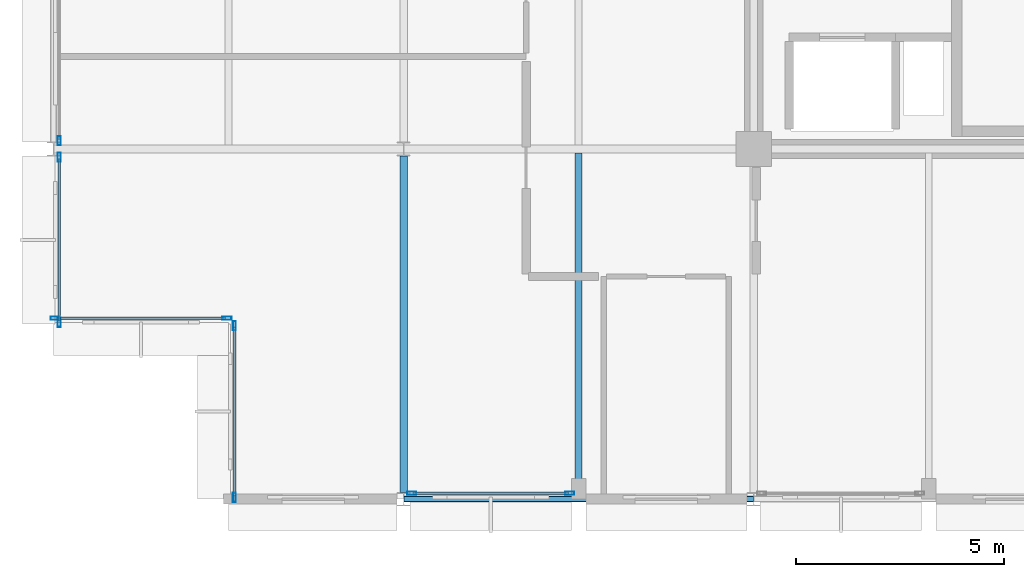
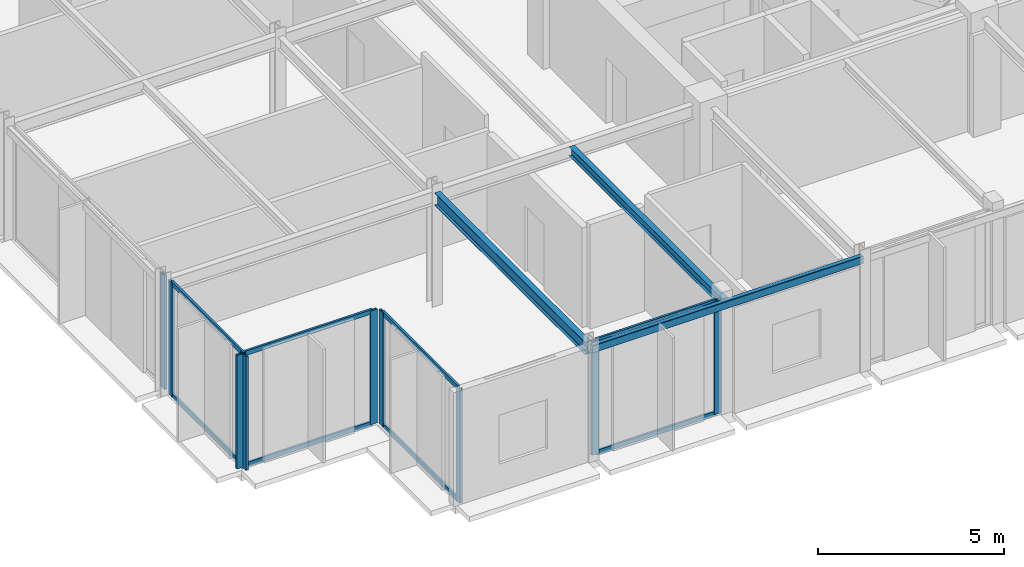
# One storey, part 3 of 23: 17 members, 3 beams, 5 elements without a shape of their own.
"""IFC4 building model written with IfcOpenShell, lengths in metres."""

from ifc_helpers import new_model, si_unit, direction, frame, origin, origin_2d, place, context, subcontext, project, spatial, hollow_rectangle, i_section, extrude, material, layer, layer_set, material_profile, profile_set, type_object, element, aggregate, save


model = new_model("IFC4")

# Units and contexts
model_context = context("Model", 3, precision=1e-05, world=origin(), true_north=direction((0.0, 1.0)))
body_context = subcontext(model_context, "Body", "Model", "MODEL_VIEW")
ifc_project = project(units=[si_unit("LENGTHUNIT", "METRE"), si_unit("AREAUNIT", "SQUARE_METRE"), si_unit("VOLUMEUNIT", "CUBIC_METRE"), si_unit("PLANEANGLEUNIT", "RADIAN"), si_unit("MASSUNIT", "GRAM", prefix="KILO")], contexts=[model_context])

# Site, building, storey
site_placement = place(None, origin())
site = spatial("IfcSite", under=ifc_project, at=site_placement, CompositionType="ELEMENT")
building_placement = place(site_placement, origin())
building = spatial("IfcBuilding", under=site, at=building_placement, Name="Nerrivon Quay Data Exchange", CompositionType="ELEMENT")
storey_placement = place(building_placement, frame((0.0, 0.0, 286.199951171875)))
storey = spatial("IfcBuildingStorey", under=building, at=storey_placement, Name="L68", CompositionType="ELEMENT", Elevation=286.199951171875)

# Beams
ifc_material_1 = material(Name="Steel Grade 350", Category="steel")
ifc_material_profile_1 = material_profile(ifc_material_1, i_section(OverallWidth=0.177978515625, OverallDepth=0.406005859375, WebThickness=0.0078125, FlangeThickness=0.0126953125, FilletRadius=0.011474609375, at=origin_2d()), Name="410UB59.7")
ifc_profile_set_1 = profile_set([ifc_material_profile_1], Name="Steel Grade 350")
beam_type_1 = type_object("IfcBeamType", Name="BM-J1-410UB60", PredefinedType="JOIST", material=ifc_profile_set_1)
beam_1_placement = place(storey_placement, frame((8.39990234375, 0.16357421875, 3.52197265625), z_axis=(0.0, 1.0, 0.0), x_axis=(-1.0, 0.0, 0.0)))
element("IfcBeam", 1, at=beam_1_placement, inside=storey, type_object=beam_type_1, Name="L68 NS Girder X=8.4 (0.0..8.4)", PredefinedType="JOIST", context=body_context, shape_type="SweptSolid", body=[
    extrude(i_section(OverallWidth=0.177978515625, OverallDepth=0.406005859375, WebThickness=0.0078125, FlangeThickness=0.0126953125, FilletRadius=0.011474609375, at=origin_2d()), origin(), (0.0, 0.0, 1.0), 8.072998046875),
])
ifc_material_profile_2 = material_profile(ifc_material_1, i_section(OverallWidth=0.1650390625, OverallDepth=0.303955078125, WebThickness=0.006103515625, FlangeThickness=0.01025390625, FilletRadius=0.011474609375, at=origin_2d()), Name="310UB40.4")
ifc_profile_set_2 = profile_set([ifc_material_profile_2], Name="Steel Grade 350")
beam_type_2 = type_object("IfcBeamType", Name="BM-J6-310UB40", PredefinedType="JOIST", material=ifc_profile_set_2)
beam_2_placement = place(storey_placement, frame((12.60009765625, 0.074951171875, 3.572998046875), z_axis=(0.0, 1.0, 0.0), x_axis=(-1.0, 0.0, 0.0)))
element("IfcBeam", 2, at=beam_2_placement, inside=storey, type_object=beam_type_2, Name="L68 Secondary Joist X=12.6 (0.0..8.4)", PredefinedType="JOIST", context=body_context, shape_type="SweptSolid", body=[
    extrude(i_section(OverallWidth=0.1650390625, OverallDepth=0.303955078125, WebThickness=0.006103515625, FlangeThickness=0.01025390625, FilletRadius=0.011474609375, at=origin_2d()), origin(), (0.0, 0.0, 1.0), 8.22998046875),
])
ifc_material_2 = material(Name="Steel Grade C350L0 (350 MPa)", Category="steel")
ifc_material_profile_3 = material_profile(ifc_material_2, hollow_rectangle(XDim=0.14990234375, YDim=0.25, WallThickness=0.009033203125, InnerFilletRadius=0.013427734375, OuterFilletRadius=0.0224609375, at=origin_2d()), Name="250x150x9.0RHS")
ifc_profile_set_3 = profile_set([ifc_material_profile_3], Name="Steel Grade C350L0 (350 MPa)")
beam_type_3 = type_object("IfcBeamType", Name="BM-SP4-250x150RHS", PredefinedType="SPANDREL", material=ifc_profile_set_3)
beam_3_placement = place(storey_placement, frame((8.40771484375, 0.0, 3.60009765625), z_axis=(1.0, 0.0, 0.0), x_axis=(0.0, 1.0, 0.0)))
element("IfcBeam", 3, at=beam_3_placement, inside=storey, type_object=beam_type_3, Name="L68 EW Girder Y=0.0 (8.4..16.8)", PredefinedType="SPANDREL", context=body_context, shape_type="SweptSolid", body=[
    extrude(hollow_rectangle(XDim=0.14990234375, YDim=0.25, WallThickness=0.009033203125, InnerFilletRadius=0.013427734375, OuterFilletRadius=0.0224609375, at=origin_2d()), origin(), (0.0, 0.0, 1.0), 8.38427734375),
])

# Curtain wall, members
ifc_material_3 = material(Name="Anodised aluminium 6063-T6", Category="aluminium")
ifc_layer = layer(ifc_material_3, 0.22998046875)
ifc_layer_set = layer_set([ifc_layer], Name="Anodised aluminium 6063-T6")
curtain_wall_type = type_object("IfcCurtainWallType", Name="CW-SYS-05", PredefinedType="NOTDEFINED", material=ifc_layer_set)
curtain_wall_1_placement = place(storey_placement, origin())
curtain_wall_1 = element("IfcCurtainWall", 4, at=curtain_wall_1_placement, inside=storey, type_object=curtain_wall_type, Name="L68 Unitised Curtain Wall 6", PredefinedType="NOTDEFINED")
ifc_material_profile_4 = material_profile(ifc_material_3, hollow_rectangle(XDim=0.074951171875, YDim=0.219970703125, WallThickness=0.00390625, at=origin_2d()), Name="ALU-MULL-220x75")
ifc_profile_set_4 = profile_set([ifc_material_profile_4], Name="Anodised aluminium 6063-T6")
member_type_1 = type_object("IfcMemberType", Name="CWM-220x75", PredefinedType="MULLION", material=ifc_profile_set_4)
member_1_placement = place(storey_placement, frame((12.387451171875, 0.139892578125, 0.0), z_axis=(0.0, 0.0, 1.0), x_axis=(0.0, -1.0, 0.0)))
member_1 = element("IfcMember", 5, at=member_1_placement, type_object=member_type_1, Name="CW05 mullion 1", PredefinedType="MULLION", context=body_context, shape_type="SweptSolid", body=[
    extrude(hollow_rectangle(XDim=0.074951171875, YDim=0.219970703125, WallThickness=0.00390625, at=origin_2d()), origin(), (0.0, 0.0, 1.0), 3.72509765625),
])
member_2_placement = place(storey_placement, frame((8.593017578125, 0.139892578125, 0.0), z_axis=(0.0, 0.0, 1.0), x_axis=(0.0, -1.0, 0.0)))
member_2 = element("IfcMember", 6, at=member_2_placement, type_object=member_type_1, Name="CW05 mullion 2", PredefinedType="MULLION", context=body_context, shape_type="SweptSolid", body=[
    extrude(hollow_rectangle(XDim=0.074951171875, YDim=0.219970703125, WallThickness=0.00390625, at=origin_2d()), origin(), (0.0, 0.0, 1.0), 3.72509765625),
])

curtain_wall_2_placement = place(storey_placement, origin())
curtain_wall_2 = element("IfcCurtainWall", 7, at=curtain_wall_2_placement, inside=storey, type_object=curtain_wall_type, Name="L68 Unitised Curtain Wall 8", PredefinedType="NOTDEFINED")
member_3_placement = place(storey_placement, frame((4.340087890625, 0.03759765625, 0.0), z_axis=(0.0, 0.0, 1.0), x_axis=(-1.0, 0.0, 0.0)))
member_3 = element("IfcMember", 8, at=member_3_placement, type_object=member_type_1, Name="CW05 mullion 1", PredefinedType="MULLION", context=body_context, shape_type="SweptSolid", body=[
    extrude(hollow_rectangle(XDim=0.074951171875, YDim=0.219970703125, WallThickness=0.00390625, at=origin_2d()), origin(), (0.0, 0.0, 1.0), 3.72509765625),
])
member_4_placement = place(storey_placement, frame((4.340087890625, 4.16259765625, 0.0), z_axis=(0.0, 0.0, 1.0), x_axis=(-1.0, 0.0, 0.0)))
member_4 = element("IfcMember", 9, at=member_4_placement, type_object=member_type_1, Name="CW05 mullion 2", PredefinedType="MULLION", context=body_context, shape_type="SweptSolid", body=[
    extrude(hollow_rectangle(XDim=0.074951171875, YDim=0.219970703125, WallThickness=0.00390625, at=origin_2d()), origin(), (0.0, 0.0, 1.0), 3.72509765625),
])

curtain_wall_3_placement = place(storey_placement, origin())
curtain_wall_3 = element("IfcCurtainWall", 10, at=curtain_wall_3_placement, inside=storey, type_object=curtain_wall_type, Name="L68 Unitised Curtain Wall 9", PredefinedType="NOTDEFINED")
member_5_placement = place(storey_placement, frame((4.16259765625, 4.340087890625, 0.0), z_axis=(0.0, 0.0, 1.0), x_axis=(0.0, -1.0, 0.0)))
member_5 = element("IfcMember", 11, at=member_5_placement, type_object=member_type_1, Name="CW05 mullion 1", PredefinedType="MULLION", context=body_context, shape_type="SweptSolid", body=[
    extrude(hollow_rectangle(XDim=0.074951171875, YDim=0.219970703125, WallThickness=0.00390625, at=origin_2d()), origin(), (0.0, 0.0, 1.0), 3.72509765625),
])
member_6_placement = place(storey_placement, frame((0.03759765625, 4.340087890625, 0.0), z_axis=(0.0, 0.0, 1.0), x_axis=(0.0, -1.0, 0.0)))
member_6 = element("IfcMember", 12, at=member_6_placement, type_object=member_type_1, Name="CW05 mullion 2", PredefinedType="MULLION", context=body_context, shape_type="SweptSolid", body=[
    extrude(hollow_rectangle(XDim=0.074951171875, YDim=0.219970703125, WallThickness=0.00390625, at=origin_2d()), origin(), (0.0, 0.0, 1.0), 3.72509765625),
])

curtain_wall_4_placement = place(storey_placement, origin())
curtain_wall_4 = element("IfcCurtainWall", 13, at=curtain_wall_4_placement, inside=storey, type_object=curtain_wall_type, Name="L68 Unitised Curtain Wall 10", PredefinedType="NOTDEFINED")
member_7_placement = place(storey_placement, frame((0.139892578125, 4.237548828125, 0.0), z_axis=(0.0, 0.0, 1.0), x_axis=(-1.0, 0.0, 0.0)))
member_7 = element("IfcMember", 14, at=member_7_placement, type_object=member_type_1, Name="CW05 mullion 1", PredefinedType="MULLION", context=body_context, shape_type="SweptSolid", body=[
    extrude(hollow_rectangle(XDim=0.074951171875, YDim=0.219970703125, WallThickness=0.00390625, at=origin_2d()), origin(), (0.0, 0.0, 1.0), 3.72509765625),
])
member_8_placement = place(storey_placement, frame((0.139892578125, 8.198974609375, 0.0), z_axis=(0.0, 0.0, 1.0), x_axis=(-1.0, 0.0, 0.0)))
member_8 = element("IfcMember", 15, at=member_8_placement, type_object=member_type_1, Name="CW05 mullion 2", PredefinedType="MULLION", context=body_context, shape_type="SweptSolid", body=[
    extrude(hollow_rectangle(XDim=0.074951171875, YDim=0.219970703125, WallThickness=0.00390625, at=origin_2d()), origin(), (0.0, 0.0, 1.0), 3.72509765625),
])

# Curtain wall, member
curtain_wall_5_placement = place(storey_placement, origin())
curtain_wall_5 = element("IfcCurtainWall", 16, at=curtain_wall_5_placement, inside=storey, type_object=curtain_wall_type, Name="L68 Unitised Curtain Wall 11", PredefinedType="NOTDEFINED")
member_9_placement = place(storey_placement, frame((0.139892578125, 8.60107421875, 0.0), z_axis=(0.0, 0.0, 1.0), x_axis=(-1.0, 0.0, 0.0)))
member_9 = element("IfcMember", 17, at=member_9_placement, type_object=member_type_1, Name="CW05 mullion 1", PredefinedType="MULLION", context=body_context, shape_type="SweptSolid", body=[
    extrude(hollow_rectangle(XDim=0.074951171875, YDim=0.219970703125, WallThickness=0.00390625, at=origin_2d()), origin(), (0.0, 0.0, 1.0), 3.72509765625),
])
aggregate(curtain_wall_5, [member_9])

# Member
ifc_material_profile_5 = material_profile(ifc_material_3, hollow_rectangle(XDim=0.06494140625, YDim=0.14990234375, WallThickness=0.00341796875, at=origin_2d()), Name="ALU-TRAN-150x65")
ifc_profile_set_5 = profile_set([ifc_material_profile_5], Name="Anodised aluminium 6063-T6")
member_type_2 = type_object("IfcMemberType", Name="CWT-150x65", PredefinedType="USERDEFINED", material=ifc_profile_set_5)
member_10_placement = place(storey_placement, frame((12.35009765625, 0.139892578125, 0.032470703125), z_axis=(-1.0, 0.0, 0.0), x_axis=(0.0, -1.0, 0.0)))
member_10 = element("IfcMember", 18, at=member_10_placement, type_object=member_type_2, Name="CW05 transom 1.1", ObjectType="TRANSOM", PredefinedType="USERDEFINED", context=body_context, shape_type="SweptSolid", body=[
    extrude(hollow_rectangle(XDim=0.06494140625, YDim=0.14990234375, WallThickness=0.00341796875, at=origin_2d()), origin(), (0.0, 0.0, 1.0), 3.719482421875),
])

member_11_placement = place(storey_placement, frame((12.35009765625, 0.139892578125, 3.692626953125), z_axis=(-1.0, 0.0, 0.0), x_axis=(0.0, -1.0, 0.0)))
member_11 = element("IfcMember", 19, at=member_11_placement, type_object=member_type_2, Name="CW05 transom 1.2", ObjectType="TRANSOM", PredefinedType="USERDEFINED", context=body_context, shape_type="SweptSolid", body=[
    extrude(hollow_rectangle(XDim=0.06494140625, YDim=0.14990234375, WallThickness=0.00341796875, at=origin_2d()), origin(), (0.0, 0.0, 1.0), 3.719482421875),
])

aggregate(curtain_wall_1, [member_1, member_2, member_10, member_11])

member_12_placement = place(storey_placement, frame((4.340087890625, 0.074951171875, 0.032470703125), z_axis=(0.0, 1.0, 0.0), x_axis=(-1.0, 0.0, 0.0)))
member_12 = element("IfcMember", 20, at=member_12_placement, type_object=member_type_2, Name="CW05 transom 1.1", ObjectType="TRANSOM", PredefinedType="USERDEFINED", context=body_context, shape_type="SweptSolid", body=[
    extrude(hollow_rectangle(XDim=0.06494140625, YDim=0.14990234375, WallThickness=0.00341796875, at=origin_2d()), origin(), (0.0, 0.0, 1.0), 4.050048828125),
])

member_13_placement = place(storey_placement, frame((4.340087890625, 0.074951171875, 3.692626953125), z_axis=(0.0, 1.0, 0.0), x_axis=(-1.0, 0.0, 0.0)))
member_13 = element("IfcMember", 21, at=member_13_placement, type_object=member_type_2, Name="CW05 transom 1.2", ObjectType="TRANSOM", PredefinedType="USERDEFINED", context=body_context, shape_type="SweptSolid", body=[
    extrude(hollow_rectangle(XDim=0.06494140625, YDim=0.14990234375, WallThickness=0.00341796875, at=origin_2d()), origin(), (0.0, 0.0, 1.0), 4.050048828125),
])

aggregate(curtain_wall_2, [member_3, member_4, member_12, member_13])

member_14_placement = place(storey_placement, frame((4.125, 4.340087890625, 0.032470703125), z_axis=(-1.0, 0.0, 0.0), x_axis=(0.0, -1.0, 0.0)))
member_14 = element("IfcMember", 22, at=member_14_placement, type_object=member_type_2, Name="CW05 transom 1.1", ObjectType="TRANSOM", PredefinedType="USERDEFINED", context=body_context, shape_type="SweptSolid", body=[
    extrude(hollow_rectangle(XDim=0.06494140625, YDim=0.14990234375, WallThickness=0.00341796875, at=origin_2d()), origin(), (0.0, 0.0, 1.0), 4.050048828125),
])

member_15_placement = place(storey_placement, frame((4.125, 4.340087890625, 3.692626953125), z_axis=(-1.0, 0.0, 0.0), x_axis=(0.0, -1.0, 0.0)))
member_15 = element("IfcMember", 23, at=member_15_placement, type_object=member_type_2, Name="CW05 transom 1.2", ObjectType="TRANSOM", PredefinedType="USERDEFINED", context=body_context, shape_type="SweptSolid", body=[
    extrude(hollow_rectangle(XDim=0.06494140625, YDim=0.14990234375, WallThickness=0.00341796875, at=origin_2d()), origin(), (0.0, 0.0, 1.0), 4.050048828125),
])

aggregate(curtain_wall_3, [member_5, member_6, member_14, member_15])

member_16_placement = place(storey_placement, frame((0.139892578125, 4.27490234375, 0.032470703125), z_axis=(0.0, 1.0, 0.0), x_axis=(-1.0, 0.0, 0.0)))
member_16 = element("IfcMember", 24, at=member_16_placement, type_object=member_type_2, Name="CW05 transom 1.1", ObjectType="TRANSOM", PredefinedType="USERDEFINED", context=body_context, shape_type="SweptSolid", body=[
    extrude(hollow_rectangle(XDim=0.06494140625, YDim=0.14990234375, WallThickness=0.00341796875, at=origin_2d()), origin(), (0.0, 0.0, 1.0), 3.88671875),
])

member_17_placement = place(storey_placement, frame((0.139892578125, 4.27490234375, 3.692626953125), z_axis=(0.0, 1.0, 0.0), x_axis=(-1.0, 0.0, 0.0)))
member_17 = element("IfcMember", 25, at=member_17_placement, type_object=member_type_2, Name="CW05 transom 1.2", ObjectType="TRANSOM", PredefinedType="USERDEFINED", context=body_context, shape_type="SweptSolid", body=[
    extrude(hollow_rectangle(XDim=0.06494140625, YDim=0.14990234375, WallThickness=0.00341796875, at=origin_2d()), origin(), (0.0, 0.0, 1.0), 3.88671875),
])

aggregate(curtain_wall_4, [member_7, member_8, member_16, member_17])

save(model, "model.ifc")
